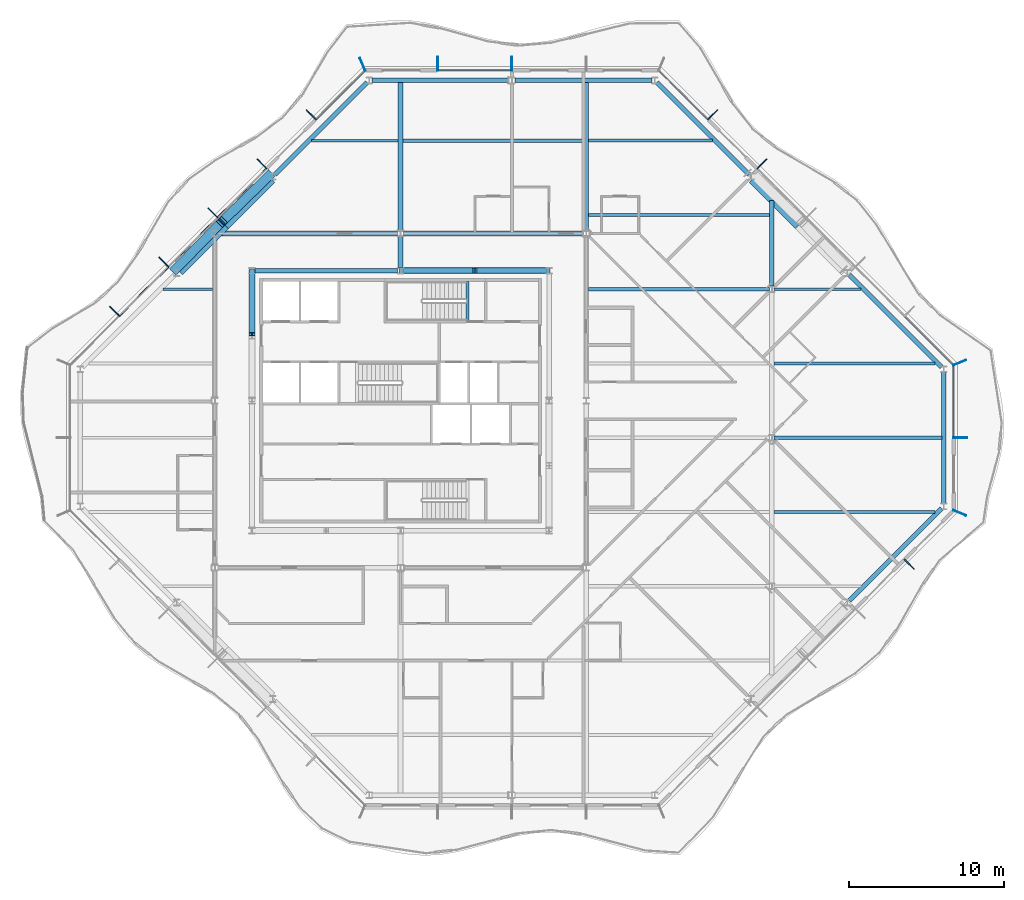
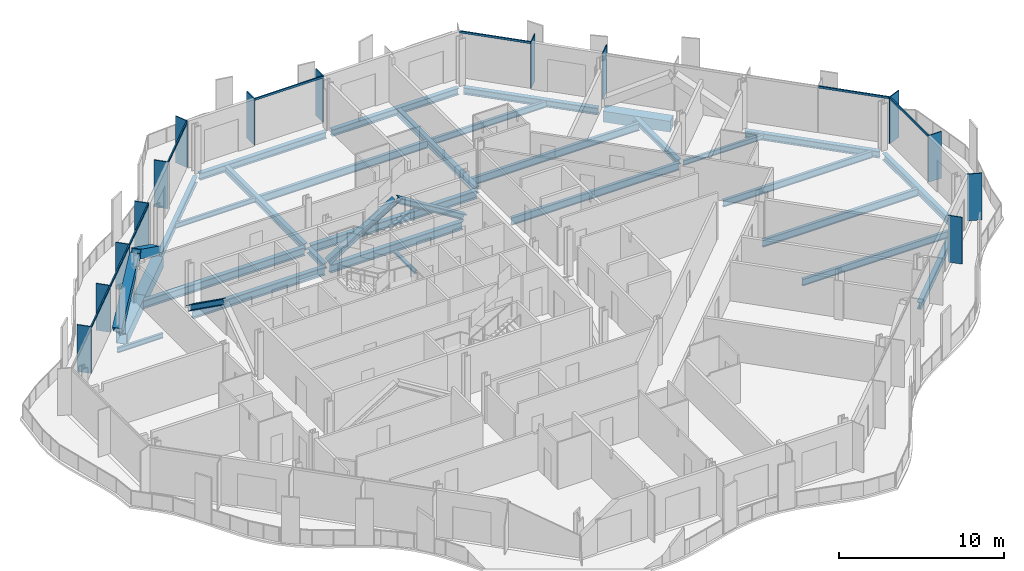
# One storey, part 4 of 17: 29 beams, 27 members, 5 elements without a shape of their own.
"""IFC4 building model written with IfcOpenShell, lengths in metres."""

from ifc_helpers import new_model, si_unit, direction, frame, origin, origin_2d, place, context, subcontext, project, spatial, rectangle, hollow_rectangle, i_section, extrude, material, material_profile, profile_set, type_object, element, aggregate, save


model = new_model("IFC4")

# Units and contexts
model_context = context("Model", 3, precision=1e-05, world=origin(), true_north=direction((0.0, 1.0)))
body_context = subcontext(model_context, "Body", "Model", "MODEL_VIEW")
ifc_project = project(units=[si_unit("LENGTHUNIT", "METRE"), si_unit("AREAUNIT", "SQUARE_METRE"), si_unit("VOLUMEUNIT", "CUBIC_METRE"), si_unit("PLANEANGLEUNIT", "RADIAN"), si_unit("MASSUNIT", "GRAM", prefix="KILO")], contexts=[model_context])

# Site, building, storey
site_placement = place(None, origin())
site = spatial("IfcSite", under=ifc_project, at=site_placement, CompositionType="ELEMENT")
building_placement = place(site_placement, origin())
building = spatial("IfcBuilding", under=site, at=building_placement, Name="Cairn Pilgrim Tower", CompositionType="ELEMENT")
storey_placement = place(building_placement, frame((0.0, 0.0, 221.39990234375)))
storey = spatial("IfcBuildingStorey", under=building, at=storey_placement, Name="L56", CompositionType="ELEMENT", Elevation=221.39990234375)

# Members
ifc_material_1 = material(Name="Structural steel S460M", Category="steel")
ifc_material_profile_1 = material_profile(ifc_material_1, hollow_rectangle(XDim=0.60009765625, YDim=0.60009765625, WallThickness=0.034912109375, at=origin_2d()), Name="BOX 600x600x35")
ifc_profile_set_1 = profile_set([ifc_material_profile_1], Name="Structural steel S460M")
member_type_1 = type_object("IfcMemberType", Name="BOX 600x600x35 BRACE", PredefinedType="BRACE", material=ifc_profile_set_1)
member_1_placement = place(storey_placement, frame((-1.22412109375, 17.00146484375, 0.150146484375), z_axis=(-0.609978743911, -0.59479597279, 0.523587321016), x_axis=(0.698140268834, -0.71596100804, 0.0)))
element("IfcMember", 1, at=member_1_placement, inside=storey, type_object=member_type_1, Name="XB-NW2-NW3-1", PredefinedType="BRACE", context=body_context, shape_type="SweptSolid", body=[
    extrude(hollow_rectangle(XDim=0.60009765625, YDim=0.60009765625, WallThickness=0.034912109375, at=origin_2d()), origin(), (0.0, 0.0, 1.0), 5.032958984375),
])
member_2_placement = place(storey_placement, frame((-7.4013671875, 10.823974609375, 0.150146484375), z_axis=(0.594778373814, 0.610009201523, 0.523571828979), x_axis=(-0.715988756584, 0.698111810848, 0.0)))
element("IfcMember", 2, at=member_2_placement, inside=storey, type_object=member_type_1, Name="XB-NW2-NW3-2", PredefinedType="BRACE", context=body_context, shape_type="SweptSolid", body=[
    extrude(hollow_rectangle(XDim=0.60009765625, YDim=0.60009765625, WallThickness=0.034912109375, at=origin_2d()), origin(), (0.0, 0.0, 1.0), 5.033203125),
])

# Beams
ifc_material_2 = material(Name="Structural steel S355J2", Category="steel")
ifc_material_profile_2 = material_profile(ifc_material_2, hollow_rectangle(XDim=0.699951171875, YDim=0.800048828125, WallThickness=0.0400390625, at=origin_2d()), Name="BOX 700x800x40")
ifc_profile_set_2 = profile_set([ifc_material_profile_2], Name="Structural steel S355J2")
beam_type_1 = type_object("IfcBeamType", Name="BOX 700x800x40 RING GIRDER", PredefinedType="SPANDREL", material=ifc_profile_set_2)
for number, where, z_axis, x_axis, name in (
    (3, (32.963623046875, 13.763671875, -0.5498046875), (-0.707106781187, 0.707106781187, 0.0), (-0.707106781187, -0.707106781187, 0.0), "RG3-NE2-NE3-2"),
    (4, (-1.183837890625, 16.743408203125, -0.5498046875), (-0.707106781187, -0.707106781187, 0.0), (0.707106781187, -0.707106781187, 0.0), "RG3-NW2-NW3-1"),
):
    element("IfcBeam", number, at=place(storey_placement, frame(where, z_axis=z_axis, x_axis=x_axis)), inside=storey, type_object=beam_type_1, Name=name, PredefinedType="SPANDREL", context=body_context, shape_type="SweptSolid", body=[
        extrude(hollow_rectangle(XDim=0.699951171875, YDim=0.800048828125, WallThickness=0.0400390625, at=origin_2d()), origin(), (0.0, 0.0, 1.0), 4.2138671875),
    ])
beam_1_placement = place(storey_placement, frame((-4.16357421875, 13.763671875, -0.5498046875), z_axis=(-0.707077813866, -0.707135747321, 0.0), x_axis=(0.707135747321, -0.707077813866, 0.0)))
element("IfcBeam", 5, at=beam_1_placement, inside=storey, type_object=beam_type_1, Name="RG3-NW2-NW3-2", PredefinedType="SPANDREL", context=body_context, shape_type="SweptSolid", body=[
    extrude(hollow_rectangle(XDim=0.699951171875, YDim=0.800048828125, WallThickness=0.0400390625, at=origin_2d()), origin(), (0.0, 0.0, 1.0), 4.214111328125),
])

# Curtain wall, member
ifc_material_3 = material(Name="Aluminium alloy 6063-T6 bronze anodised with Bronze tinted laminated low-E glass 8+16+8.8", Category="aluminium")
curtain_wall_type_1 = type_object("IfcCurtainWallType", Name="CHAMFER CORNER CURTAIN WALL", PredefinedType="NOTDEFINED", material=ifc_material_3)
curtain_wall_1_placement = place(storey_placement, origin())
curtain_wall_1 = element("IfcCurtainWall", 6, at=curtain_wall_1_placement, inside=storey, type_object=curtain_wall_type_1, Name="Chamfer Corner Curtain Wall SE", PredefinedType="NOTDEFINED")
ifc_material_4 = material(Name="Aluminium alloy 6063-T6 bronze anodised", Category="aluminium")
ifc_material_profile_3 = material_profile(ifc_material_4, rectangle(XDim=0.89990234375, YDim=0.06005859375, at=origin_2d()), Name="FIN MULLION 60x900 BRONZE")
ifc_profile_set_3 = profile_set([ifc_material_profile_3], Name="Aluminium alloy 6063-T6 bronze anodised")
member_type_2 = type_object("IfcMemberType", Name="FIN MULLION 60x900 BRONZE", PredefinedType="MULLION", material=ifc_profile_set_3)
member_3_placement = place(storey_placement, frame((40.0712890625, -8.1689453125, 0.0), z_axis=(0.0, 0.0, 1.0), x_axis=(0.707106781187, -0.707106781187, 0.0)))
member_3 = element("IfcMember", 7, at=member_3_placement, type_object=member_type_2, Name="Fin mullion SE6", PredefinedType="MULLION", context=body_context, shape_type="SweptSolid", body=[
    extrude(rectangle(XDim=0.89990234375, YDim=0.06005859375, at=origin_2d()), origin(), (0.0, 0.0, 1.0), 3.4501953125),
])
aggregate(curtain_wall_1, [member_3])

# Curtain wall, members
curtain_wall_type_2 = type_object("IfcCurtainWallType", Name="TOWER STICK CURTAIN WALL EW", PredefinedType="NOTDEFINED", material=ifc_material_3)
curtain_wall_2_placement = place(storey_placement, origin())
curtain_wall_2 = element("IfcCurtainWall", 8, at=curtain_wall_2_placement, inside=storey, type_object=curtain_wall_type_2, Name="Tower Stick Curtain Wall Ew E", PredefinedType="NOTDEFINED")
member_4_placement = place(storey_placement, frame((43.338134765625, -4.857177734375, 0.0), z_axis=(0.0, 0.0, 1.0), x_axis=(0.923879532511, -0.382683432365, 0.0)))
member_4 = element("IfcMember", 9, at=member_4_placement, type_object=member_type_2, Name="Fin mullion E1", PredefinedType="MULLION", context=body_context, shape_type="SweptSolid", body=[
    extrude(rectangle(XDim=0.89990234375, YDim=0.06005859375, at=origin_2d()), origin(), (0.0, 0.0, 1.0), 3.4501953125),
])
member_5_placement = place(storey_placement, frame((43.3701171875, 0.0, 0.0), z_axis=(0.0, 0.0, 1.0), x_axis=(1.0, 0.0, 0.0)))
member_5 = element("IfcMember", 10, at=member_5_placement, type_object=member_type_2, Name="Fin mullion E2", PredefinedType="MULLION", context=body_context, shape_type="SweptSolid", body=[
    extrude(rectangle(XDim=0.89990234375, YDim=0.06005859375, at=origin_2d()), origin(), (0.0, 0.0, 1.0), 3.4501953125),
])

curtain_wall_3_placement = place(storey_placement, origin())
curtain_wall_3 = element("IfcCurtainWall", 11, at=curtain_wall_3_placement, inside=storey, type_object=curtain_wall_type_1, Name="Chamfer Corner Curtain Wall NE", PredefinedType="NOTDEFINED")
member_6_placement = place(storey_placement, frame((43.338134765625, 4.857177734375, 0.0), z_axis=(0.0, 0.0, 1.0), x_axis=(0.923879532511, 0.382683432365, 0.0)))
member_6 = element("IfcMember", 12, at=member_6_placement, type_object=member_type_2, Name="Fin mullion NE1", PredefinedType="MULLION", context=body_context, shape_type="SweptSolid", body=[
    extrude(rectangle(XDim=0.89990234375, YDim=0.06005859375, at=origin_2d()), origin(), (0.0, 0.0, 1.0), 3.4501953125),
])
member_7_placement = place(storey_placement, frame((30.544677734375, 17.69580078125, 0.0), z_axis=(0.0, 0.0, 1.0), x_axis=(0.707106781187, 0.707106781187, 0.0)))
member_7 = element("IfcMember", 13, at=member_7_placement, type_object=member_type_2, Name="Fin mullion NE5", PredefinedType="MULLION", context=body_context, shape_type="SweptSolid", body=[
    extrude(rectangle(XDim=0.89990234375, YDim=0.06005859375, at=origin_2d()), origin(), (0.0, 0.0, 1.0), 3.4501953125),
])
member_8_placement = place(storey_placement, frame((27.369140625, 20.871337890625, 0.0), z_axis=(0.0, 0.0, 1.0), x_axis=(0.707106781187, 0.707106781187, 0.0)))
member_8 = element("IfcMember", 14, at=member_8_placement, type_object=member_type_2, Name="Fin mullion NE6", PredefinedType="MULLION", context=body_context, shape_type="SweptSolid", body=[
    extrude(rectangle(XDim=0.89990234375, YDim=0.06005859375, at=origin_2d()), origin(), (0.0, 0.0, 1.0), 3.4501953125),
])

curtain_wall_type_3 = type_object("IfcCurtainWallType", Name="TOWER STICK CURTAIN WALL NS", PredefinedType="NOTDEFINED", material=ifc_material_3)
curtain_wall_4_placement = place(storey_placement, origin())
curtain_wall_4 = element("IfcCurtainWall", 15, at=curtain_wall_4_placement, inside=storey, type_object=curtain_wall_type_3, Name="Tower Stick Curtain Wall Ns N", PredefinedType="NOTDEFINED")
member_9_placement = place(storey_placement, frame((14.39990234375, 24.169921875, 0.0), z_axis=(0.0, 0.0, 1.0), x_axis=(0.0, 1.0, 0.0)))
member_9 = element("IfcMember", 16, at=member_9_placement, type_object=member_type_2, Name="Fin mullion N3", PredefinedType="MULLION", context=body_context, shape_type="SweptSolid", body=[
    extrude(rectangle(XDim=0.89990234375, YDim=0.06005859375, at=origin_2d()), origin(), (0.0, 0.0, 1.0), 3.4501953125),
])
member_10_placement = place(storey_placement, frame((9.60009765625, 24.169921875, 0.0), z_axis=(0.0, 0.0, 1.0), x_axis=(0.0, 1.0, 0.0)))
member_10 = element("IfcMember", 17, at=member_10_placement, type_object=member_type_2, Name="Fin mullion N4", PredefinedType="MULLION", context=body_context, shape_type="SweptSolid", body=[
    extrude(rectangle(XDim=0.89990234375, YDim=0.06005859375, at=origin_2d()), origin(), (0.0, 0.0, 1.0), 3.4501953125),
])

curtain_wall_5_placement = place(storey_placement, origin())
curtain_wall_5 = element("IfcCurtainWall", 18, at=curtain_wall_5_placement, inside=storey, type_object=curtain_wall_type_1, Name="Chamfer Corner Curtain Wall NW", PredefinedType="NOTDEFINED")
member_11_placement = place(storey_placement, frame((4.742919921875, 24.137939453125, 0.0), z_axis=(0.0, 0.0, 1.0), x_axis=(-0.382683432365, 0.923879532511, 0.0)))
member_11 = element("IfcMember", 19, at=member_11_placement, type_object=member_type_2, Name="Fin mullion NW1", PredefinedType="MULLION", context=body_context, shape_type="SweptSolid", body=[
    extrude(rectangle(XDim=0.89990234375, YDim=0.06005859375, at=origin_2d()), origin(), (0.0, 0.0, 1.0), 3.4501953125),
])
member_12_placement = place(storey_placement, frame((1.430908203125, 20.871337890625, 0.0), z_axis=(0.0, 0.0, 1.0), x_axis=(-0.707106781187, 0.707106781187, 0.0)))
member_12 = element("IfcMember", 20, at=member_12_placement, type_object=member_type_2, Name="Fin mullion NW2", PredefinedType="MULLION", context=body_context, shape_type="SweptSolid", body=[
    extrude(rectangle(XDim=0.89990234375, YDim=0.06005859375, at=origin_2d()), origin(), (0.0, 0.0, 1.0), 3.4501953125),
])
member_13_placement = place(storey_placement, frame((-1.74462890625, 17.69580078125, 0.0), z_axis=(0.0, 0.0, 1.0), x_axis=(-0.707106781187, 0.707106781187, 0.0)))
member_13 = element("IfcMember", 21, at=member_13_placement, type_object=member_type_2, Name="Fin mullion NW3", PredefinedType="MULLION", context=body_context, shape_type="SweptSolid", body=[
    extrude(rectangle(XDim=0.89990234375, YDim=0.06005859375, at=origin_2d()), origin(), (0.0, 0.0, 1.0), 3.4501953125),
])
member_14_placement = place(storey_placement, frame((-4.920166015625, 14.520263671875, 0.0), z_axis=(0.0, 0.0, 1.0), x_axis=(-0.707106781187, 0.707106781187, 0.0)))
member_14 = element("IfcMember", 22, at=member_14_placement, type_object=member_type_2, Name="Fin mullion NW4", PredefinedType="MULLION", context=body_context, shape_type="SweptSolid", body=[
    extrude(rectangle(XDim=0.89990234375, YDim=0.06005859375, at=origin_2d()), origin(), (0.0, 0.0, 1.0), 3.4501953125),
])
member_15_placement = place(storey_placement, frame((-8.095703125, 11.3447265625, 0.0), z_axis=(0.0, 0.0, 1.0), x_axis=(-0.707106781187, 0.707106781187, 0.0)))
member_15 = element("IfcMember", 23, at=member_15_placement, type_object=member_type_2, Name="Fin mullion NW5", PredefinedType="MULLION", context=body_context, shape_type="SweptSolid", body=[
    extrude(rectangle(XDim=0.89990234375, YDim=0.06005859375, at=origin_2d()), origin(), (0.0, 0.0, 1.0), 3.4501953125),
])
member_16_placement = place(storey_placement, frame((-11.271484375, 8.1689453125, 0.0), z_axis=(0.0, 0.0, 1.0), x_axis=(-0.707106781187, 0.707106781187, 0.0)))
member_16 = element("IfcMember", 24, at=member_16_placement, type_object=member_type_2, Name="Fin mullion NW6", PredefinedType="MULLION", context=body_context, shape_type="SweptSolid", body=[
    extrude(rectangle(XDim=0.89990234375, YDim=0.06005859375, at=origin_2d()), origin(), (0.0, 0.0, 1.0), 3.4501953125),
])

# Members
ifc_material_profile_4 = material_profile(ifc_material_2, i_section(OverallWidth=0.39794921875, OverallDepth=0.386962890625, WebThickness=0.02099609375, FlangeThickness=0.033203125, FilletRadius=0.014892578125, at=origin_2d()), Name="HD 400x262")
ifc_profile_set_4 = profile_set([ifc_material_profile_4], Name="Structural steel S355J2")
member_type_3 = type_object("IfcMemberType", Name="HD 400x262 BRACE", PredefinedType="BRACE", material=ifc_profile_set_4)
for number, where, z_axis, x_axis, name in (
    (25, (16.759521484375, 10.800048828125, 0.10009765625), (-0.851180404412, 0.0, 0.524873241025), (0.0, -1.0, 0.0), "KB-3A"),
    (26, (7.240478515625, 10.800048828125, 0.10009765625), (0.851180404412, 0.0, 0.524873241025), (0.0, 1.0, 0.0), "KB-3B"),
):
    element("IfcMember", number, at=place(storey_placement, frame(where, z_axis=z_axis, x_axis=x_axis)), inside=storey, type_object=member_type_3, Name=name, PredefinedType="BRACE", context=body_context, shape_type="SweptSolid", body=[
        extrude(i_section(OverallWidth=0.39794921875, OverallDepth=0.386962890625, WebThickness=0.02099609375, FlangeThickness=0.033203125, FilletRadius=0.014892578125, at=origin_2d()), origin(), (0.0, 0.0, 1.0), 5.529052734375),
    ])
member_17_placement = place(storey_placement, frame((-2.39990234375, 10.759521484375, 0.10009765625), z_axis=(0.0, -0.814412678688, 0.580286126659), x_axis=(1.0, 0.0, 0.0)))
element("IfcMember", 27, at=member_17_placement, inside=storey, type_object=member_type_3, Name="KB-4A", PredefinedType="BRACE", context=body_context, shape_type="SweptSolid", body=[
    extrude(i_section(OverallWidth=0.39794921875, OverallDepth=0.386962890625, WebThickness=0.02099609375, FlangeThickness=0.033203125, FilletRadius=0.014892578125, at=origin_2d()), origin(), (0.0, 0.0, 1.0), 4.9990234375),
])

# Beams
ifc_material_profile_5 = material_profile(ifc_material_2, i_section(OverallWidth=0.300048828125, OverallDepth=0.39990234375, WebThickness=0.013427734375, FlangeThickness=0.02392578125, FilletRadius=0.027099609375, at=origin_2d()), Name="HEB 400")
ifc_profile_set_5 = profile_set([ifc_material_profile_5], Name="Structural steel S355J2")
beam_type_2 = type_object("IfcBeamType", Name="HEB 400 GIRDER", PredefinedType="BEAM", material=ifc_profile_set_5)
beam_2_placement = place(storey_placement, frame((7.199951171875, 11.001953125, -0.349853515625), z_axis=(0.0, 1.0, 0.0), x_axis=(-1.0, 0.0, 0.0)))
element("IfcBeam", 28, at=beam_2_placement, inside=storey, type_object=beam_type_2, Name="PG3-E2", PredefinedType="BEAM", context=body_context, shape_type="SweptSolid", body=[
    extrude(i_section(OverallWidth=0.300048828125, OverallDepth=0.39990234375, WebThickness=0.013427734375, FlangeThickness=0.02392578125, FilletRadius=0.027099609375, at=origin_2d()), origin(), (0.0, 0.0, 1.0), 1.99853515625),
])
beam_3_placement = place(storey_placement, frame((31.199951171875, 9.799560546875, -0.349853515625), z_axis=(0.0, 1.0, 0.0), x_axis=(-1.0, 0.0, 0.0)))
element("IfcBeam", 29, at=beam_3_placement, inside=storey, type_object=beam_type_2, Name="PG5-4", PredefinedType="BEAM", context=body_context, shape_type="SweptSolid", body=[
    extrude(i_section(OverallWidth=0.300048828125, OverallDepth=0.39990234375, WebThickness=0.013427734375, FlangeThickness=0.02392578125, FilletRadius=0.027099609375, at=origin_2d()), origin(), (0.0, 0.0, 1.0), 5.545654296875),
])
ifc_material_profile_6 = material_profile(ifc_material_2, i_section(OverallWidth=0.300048828125, OverallDepth=0.5, WebThickness=0.014404296875, FlangeThickness=0.028076171875, FilletRadius=0.027099609375, at=origin_2d()), Name="HEB 500")
ifc_profile_set_6 = profile_set([ifc_material_profile_6], Name="Structural steel S355J2")
beam_type_3 = type_object("IfcBeamType", Name="HEB 500 GIRDER", PredefinedType="BEAM", material=ifc_profile_set_6)
for number, where, z_axis, x_axis, name in (
    (30, (7.199951171875, 13.3994140625, -0.39990234375), (0.0, 1.0, 0.0), (-1.0, 0.0, 0.0), "PG3-2"),
    (31, (19.199951171875, 13.3994140625, -0.39990234375), (0.0, 1.0, 0.0), (-1.0, 0.0, 0.0), "PG4-4"),
):
    element("IfcBeam", number, at=place(storey_placement, frame(where, z_axis=z_axis, x_axis=x_axis)), inside=storey, type_object=beam_type_3, Name=name, PredefinedType="BEAM", context=body_context, shape_type="SweptSolid", body=[
        extrude(i_section(OverallWidth=0.300048828125, OverallDepth=0.5, WebThickness=0.014404296875, FlangeThickness=0.028076171875, FilletRadius=0.027099609375, at=origin_2d()), origin(), (0.0, 0.0, 1.0), 9.58056640625),
    ])
ifc_material_profile_7 = material_profile(ifc_material_2, i_section(OverallWidth=0.300048828125, OverallDepth=0.5, WebThickness=0.014404296875, FlangeThickness=0.028076171875, FilletRadius=0.027099609375, at=origin_2d()), Name="HEB 500")
ifc_profile_set_7 = profile_set([ifc_material_profile_7], Name="Structural steel S355J2")
beam_type_4 = type_object("IfcBeamType", Name="HEB 500 RING GIRDER", PredefinedType="SPANDREL", material=ifc_profile_set_7)
beam_4_placement = place(storey_placement, frame((36.2080078125, -10.51904296875, -0.39990234375), z_axis=(0.707106781187, 0.707106781187, 0.0), x_axis=(-0.707106781187, 0.707106781187, 0.0)))
element("IfcBeam", 32, at=beam_4_placement, inside=storey, type_object=beam_type_4, Name="RG3-SE3-E1", PredefinedType="SPANDREL", context=body_context, shape_type="SweptSolid", body=[
    extrude(i_section(OverallWidth=0.300048828125, OverallDepth=0.5, WebThickness=0.014404296875, FlangeThickness=0.028076171875, FilletRadius=0.027099609375, at=origin_2d()), origin(), (0.0, 0.0, 1.0), 8.427978515625),
])
beam_5_placement = place(storey_placement, frame((42.300048828125, -4.239990234375, -0.39990234375), z_axis=(0.0, 1.0, 0.0), x_axis=(-1.0, 0.0, 0.0)))
element("IfcBeam", 33, at=beam_5_placement, inside=storey, type_object=beam_type_4, Name="RG3-E1-NE1", PredefinedType="SPANDREL", context=body_context, shape_type="SweptSolid", body=[
    extrude(i_section(OverallWidth=0.300048828125, OverallDepth=0.5, WebThickness=0.014404296875, FlangeThickness=0.028076171875, FilletRadius=0.027099609375, at=origin_2d()), origin(), (0.0, 0.0, 1.0), 8.47998046875),
])
for number, where, z_axis, x_axis, name in (
    (34, (42.16748046875, 4.5595703125, -0.39990234375), (-0.707106781187, 0.707106781187, 0.0), (-0.707106781187, -0.707106781187, 0.0), "RG3-NE1-NE2"),
    (35, (29.718994140625, 17.008056640625, -0.39990234375), (-0.707106781187, 0.707106781187, 0.0), (-0.707106781187, -0.707106781187, 0.0), "RG3-NE3-N1"),
):
    element("IfcBeam", number, at=place(storey_placement, frame(where, z_axis=z_axis, x_axis=x_axis)), inside=storey, type_object=beam_type_4, Name=name, PredefinedType="SPANDREL", context=body_context, shape_type="SweptSolid", body=[
        extrude(i_section(OverallWidth=0.300048828125, OverallDepth=0.5, WebThickness=0.014404296875, FlangeThickness=0.028076171875, FilletRadius=0.027099609375, at=origin_2d()), origin(), (0.0, 0.0, 1.0), 8.427978515625),
    ])
for number, where, z_axis, x_axis, name in (
    (36, (23.43994140625, 23.10009765625, -0.39990234375), (-1.0, 0.0, 0.0), (0.0, -1.0, 0.0), "RG3-N1-N2"),
    (37, (14.212890625, 23.10009765625, -0.39990234375), (-1.0, 0.0, 0.0), (0.0, -1.0, 0.0), "RG3-N2-NW1"),
):
    element("IfcBeam", number, at=place(storey_placement, frame(where, z_axis=z_axis, x_axis=x_axis)), inside=storey, type_object=beam_type_4, Name=name, PredefinedType="SPANDREL", context=body_context, shape_type="SweptSolid", body=[
        extrude(i_section(OverallWidth=0.300048828125, OverallDepth=0.5, WebThickness=0.014404296875, FlangeThickness=0.028076171875, FilletRadius=0.027099609375, at=origin_2d()), origin(), (0.0, 0.0, 1.0), 8.852783203125),
    ])
beam_6_placement = place(storey_placement, frame((5.040283203125, 22.967529296875, -0.39990234375), z_axis=(-0.707106781187, -0.707106781187, 0.0), x_axis=(0.707106781187, -0.707106781187, 0.0)))
element("IfcBeam", 38, at=beam_6_placement, inside=storey, type_object=beam_type_4, Name="RG3-NW1-NW2", PredefinedType="SPANDREL", context=body_context, shape_type="SweptSolid", body=[
    extrude(i_section(OverallWidth=0.300048828125, OverallDepth=0.5, WebThickness=0.014404296875, FlangeThickness=0.028076171875, FilletRadius=0.027099609375, at=origin_2d()), origin(), (0.0, 0.0, 1.0), 8.427978515625),
])
ifc_material_profile_8 = material_profile(ifc_material_2, i_section(OverallWidth=0.300048828125, OverallDepth=0.60009765625, WebThickness=0.015380859375, FlangeThickness=0.030029296875, FilletRadius=0.027099609375, at=origin_2d()), Name="HEB 600")
ifc_profile_set_8 = profile_set([ifc_material_profile_8], Name="Structural steel S355J2")
beam_type_5 = type_object("IfcBeamType", Name="HEB 600 CORE BEAM", PredefinedType="BEAM", material=ifc_profile_set_8)
beam_7_placement = place(storey_placement, frame((16.6181640625, 10.800048828125, -0.449951171875), z_axis=(-1.0, 0.0, 0.0), x_axis=(0.0, -1.0, 0.0)))
element("IfcBeam", 39, at=beam_7_placement, inside=storey, type_object=beam_type_5, Name="CB-5", PredefinedType="BEAM", context=body_context, shape_type="SweptSolid", body=[
    extrude(i_section(OverallWidth=0.300048828125, OverallDepth=0.60009765625, WebThickness=0.015380859375, FlangeThickness=0.030029296875, FilletRadius=0.027099609375, at=origin_2d()), origin(), (0.0, 0.0, 1.0), 9.236328125),
])
beam_8_placement = place(storey_placement, frame((7.018310546875, 10.800048828125, -0.449951171875), z_axis=(-1.0, 0.0, 0.0), x_axis=(0.0, -1.0, 0.0)))
element("IfcBeam", 40, at=beam_8_placement, inside=storey, type_object=beam_type_5, Name="CB-6", PredefinedType="BEAM", context=body_context, shape_type="SweptSolid", body=[
    extrude(i_section(OverallWidth=0.300048828125, OverallDepth=0.60009765625, WebThickness=0.015380859375, FlangeThickness=0.030029296875, FilletRadius=0.027099609375, at=origin_2d()), origin(), (0.0, 0.0, 1.0), 9.236572265625),
])
ifc_material_profile_9 = material_profile(ifc_material_2, i_section(OverallWidth=0.300048828125, OverallDepth=0.60009765625, WebThickness=0.015380859375, FlangeThickness=0.030029296875, FilletRadius=0.027099609375, at=origin_2d()), Name="HEB 600")
ifc_profile_set_9 = profile_set([ifc_material_profile_9], Name="Structural steel S355J2")
beam_type_6 = type_object("IfcBeamType", Name="HEB 600 INNER GIRDER", PredefinedType="BEAM", material=ifc_profile_set_9)
for number, where, z_axis, x_axis, name in (
    (41, (-4.6005859375, 13.199951171875, -0.449951171875), (1.0, 0.0, 0.0), (0.0, 1.0, 0.0), "IG2-1"),
    (42, (7.3994140625, 13.199951171875, -0.449951171875), (1.0, 0.0, 0.0), (0.0, 1.0, 0.0), "IG2-2"),
):
    element("IfcBeam", number, at=place(storey_placement, frame(where, z_axis=z_axis, x_axis=x_axis)), inside=storey, type_object=beam_type_6, Name=name, PredefinedType="BEAM", context=body_context, shape_type="SweptSolid", body=[
        extrude(i_section(OverallWidth=0.300048828125, OverallDepth=0.60009765625, WebThickness=0.015380859375, FlangeThickness=0.030029296875, FilletRadius=0.027099609375, at=origin_2d()), origin(), (0.0, 0.0, 1.0), 11.60107421875),
    ])
ifc_material_profile_10 = material_profile(ifc_material_2, i_section(OverallWidth=0.169921875, OverallDepth=0.360107421875, WebThickness=0.008056640625, FlangeThickness=0.0126953125, FilletRadius=0.01806640625, at=origin_2d()), Name="IPE 360")
ifc_profile_set_10 = profile_set([ifc_material_profile_10], Name="Structural steel S355J2")
beam_type_7 = type_object("IfcBeamType", Name="IPE 360 SECONDARY BEAM", PredefinedType="JOIST", material=ifc_profile_set_10)
beam_9_placement = place(storey_placement, frame((-8.14501953125, 9.60009765625, -0.329833984375), z_axis=(1.0, 0.0, 0.0), x_axis=(0.0, 1.0, 0.0)))
element("IfcBeam", 43, at=beam_9_placement, inside=storey, type_object=beam_type_7, Name="SB7-1", PredefinedType="JOIST", context=body_context, shape_type="SweptSolid", body=[
    extrude(i_section(OverallWidth=0.169921875, OverallDepth=0.360107421875, WebThickness=0.008056640625, FlangeThickness=0.0126953125, FilletRadius=0.01806640625, at=origin_2d()), origin(), (0.0, 0.0, 1.0), 3.195068359375),
])
beam_10_placement = place(storey_placement, frame((31.35009765625, 9.60009765625, -0.329833984375), z_axis=(1.0, 0.0, 0.0), x_axis=(0.0, 1.0, 0.0)))
element("IfcBeam", 44, at=beam_10_placement, inside=storey, type_object=beam_type_7, Name="SB7-3", PredefinedType="JOIST", context=body_context, shape_type="SweptSolid", body=[
    extrude(i_section(OverallWidth=0.169921875, OverallDepth=0.360107421875, WebThickness=0.008056640625, FlangeThickness=0.0126953125, FilletRadius=0.01806640625, at=origin_2d()), origin(), (0.0, 0.0, 1.0), 5.594970703125),
])
beam_11_placement = place(storey_placement, frame((1.454833984375, 19.199951171875, -0.329833984375), z_axis=(1.0, 0.0, 0.0), x_axis=(0.0, 1.0, 0.0)))
element("IfcBeam", 45, at=beam_11_placement, inside=storey, type_object=beam_type_7, Name="SB9-1", PredefinedType="JOIST", context=body_context, shape_type="SweptSolid", body=[
    extrude(i_section(OverallWidth=0.169921875, OverallDepth=0.360107421875, WebThickness=0.008056640625, FlangeThickness=0.0126953125, FilletRadius=0.01806640625, at=origin_2d()), origin(), (0.0, 0.0, 1.0), 5.59521484375),
])
ifc_material_profile_11 = material_profile(ifc_material_2, i_section(OverallWidth=0.18994140625, OverallDepth=0.449951171875, WebThickness=0.009521484375, FlangeThickness=0.0146484375, FilletRadius=0.02099609375, at=origin_2d()), Name="IPE 450")
ifc_profile_set_11 = profile_set([ifc_material_profile_11], Name="Structural steel S355J2")
beam_type_8 = type_object("IfcBeamType", Name="IPE 450 SECONDARY BEAM", PredefinedType="JOIST", material=ifc_profile_set_11)
beam_12_placement = place(storey_placement, frame((19.35009765625, 19.199951171875, -0.375), z_axis=(1.0, 0.0, 0.0), x_axis=(0.0, 1.0, 0.0)))
element("IfcBeam", 46, at=beam_12_placement, inside=storey, type_object=beam_type_8, Name="SB9-3", PredefinedType="JOIST", context=body_context, shape_type="SweptSolid", body=[
    extrude(i_section(OverallWidth=0.18994140625, OverallDepth=0.449951171875, WebThickness=0.009521484375, FlangeThickness=0.0146484375, FilletRadius=0.02099609375, at=origin_2d()), origin(), (0.0, 0.0, 1.0), 7.9951171875),
])
ifc_material_profile_12 = material_profile(ifc_material_2, i_section(OverallWidth=0.199951171875, OverallDepth=0.5, WebThickness=0.01025390625, FlangeThickness=0.01611328125, FilletRadius=0.02099609375, at=origin_2d()), Name="IPE 500")
ifc_profile_set_12 = profile_set([ifc_material_profile_12], Name="Structural steel S355J2")
beam_type_9 = type_object("IfcBeamType", Name="IPE 500 SECONDARY BEAM", PredefinedType="JOIST", material=ifc_profile_set_12)
for number, where, z_axis, x_axis, name in (
    (47, (31.35009765625, -4.800048828125, -0.39990234375), (1.0, 0.0, 0.0), (0.0, 1.0, 0.0), "SB4-3"),
    (48, (31.35009765625, 4.800048828125, -0.39990234375), (1.0, 0.0, 0.0), (0.0, 1.0, 0.0), "SB6-3"),
):
    element("IfcBeam", number, at=place(storey_placement, frame(where, z_axis=z_axis, x_axis=x_axis)), inside=storey, type_object=beam_type_9, Name=name, PredefinedType="JOIST", context=body_context, shape_type="SweptSolid", body=[
        extrude(i_section(OverallWidth=0.199951171875, OverallDepth=0.5, WebThickness=0.01025390625, FlangeThickness=0.01611328125, FilletRadius=0.02099609375, at=origin_2d()), origin(), (0.0, 0.0, 1.0), 10.39501953125),
    ])
ifc_material_profile_13 = material_profile(ifc_material_2, i_section(OverallWidth=0.2099609375, OverallDepth=0.550048828125, WebThickness=0.010986328125, FlangeThickness=0.01708984375, FilletRadius=0.02392578125, at=origin_2d()), Name="IPE 550")
ifc_profile_set_13 = profile_set([ifc_material_profile_13], Name="Structural steel S355J2")
beam_type_10 = type_object("IfcBeamType", Name="IPE 550 SECONDARY BEAM", PredefinedType="JOIST", material=ifc_profile_set_13)
beam_13_placement = place(storey_placement, frame((31.35009765625, 0.0, -0.4248046875), z_axis=(1.0, 0.0, 0.0), x_axis=(0.0, 1.0, 0.0)))
element("IfcBeam", 49, at=beam_13_placement, inside=storey, type_object=beam_type_10, Name="SB5-3", PredefinedType="JOIST", context=body_context, shape_type="SweptSolid", body=[
    extrude(i_section(OverallWidth=0.2099609375, OverallDepth=0.550048828125, WebThickness=0.010986328125, FlangeThickness=0.01708984375, FilletRadius=0.02392578125, at=origin_2d()), origin(), (0.0, 0.0, 1.0), 10.829833984375),
])
for number, where, z_axis, x_axis, name in (
    (50, (19.35009765625, 9.60009765625, -0.4248046875), (1.0, 0.0, 0.0), (0.0, 1.0, 0.0), "SB7-2"),
    (51, (19.35009765625, 14.39990234375, -0.4248046875), (1.0, 0.0, 0.0), (0.0, 1.0, 0.0), "SB8-1"),
    (52, (7.35009765625, 19.199951171875, -0.4248046875), (1.0, 0.0, 0.0), (0.0, 1.0, 0.0), "SB9-2"),
):
    element("IfcBeam", number, at=place(storey_placement, frame(where, z_axis=z_axis, x_axis=x_axis)), inside=storey, type_object=beam_type_10, Name=name, PredefinedType="JOIST", context=body_context, shape_type="SweptSolid", body=[
        extrude(i_section(OverallWidth=0.2099609375, OverallDepth=0.550048828125, WebThickness=0.010986328125, FlangeThickness=0.01708984375, FilletRadius=0.02392578125, at=origin_2d()), origin(), (0.0, 0.0, 1.0), 11.699951171875),
    ])
ifc_material_profile_14 = material_profile(ifc_material_2, i_section(OverallWidth=0.199951171875, OverallDepth=0.199951171875, WebThickness=0.009033203125, FlangeThickness=0.014892578125, FilletRadius=0.01806640625, at=origin_2d()), Name="HE 200 B")
ifc_profile_set_14 = profile_set([ifc_material_profile_14], Name="Structural steel S355J2")
beam_type_11 = type_object("IfcBeamType", Name="STAIR LANDING BEAM HE 200 B", PredefinedType="BEAM", material=ifc_profile_set_14)
beam_14_placement = place(storey_placement, frame((11.5244140625, 10.10009765625, -0.25), z_axis=(0.0, -1.0, 0.0), x_axis=(1.0, 0.0, 0.0)))
element("IfcBeam", 53, at=beam_14_placement, inside=storey, type_object=beam_type_11, Name="STAIR LANDING BEAM LD-HE200B", PredefinedType="BEAM", context=body_context, shape_type="SweptSolid", body=[
    extrude(i_section(OverallWidth=0.199951171875, OverallDepth=0.199951171875, WebThickness=0.009033203125, FlangeThickness=0.014892578125, FilletRadius=0.01806640625, at=origin_2d()), origin(), (0.0, 0.0, 1.0), 2.525146484375),
])

# Member
ifc_material_profile_15 = material_profile(ifc_material_4, rectangle(XDim=0.080078125, YDim=0.14990234375, at=origin_2d()), Name="TRANSOM 80x150 BRONZE")
ifc_profile_set_15 = profile_set([ifc_material_profile_15], Name="Aluminium alloy 6063-T6 bronze anodised")
member_type_4 = type_object("IfcMemberType", Name="TRANSOM 80x150 BRONZE", PredefinedType="USERDEFINED", material=ifc_profile_set_15)
member_18_placement = place(storey_placement, frame((42.949951171875, 0.030029296875, 3.375), z_axis=(0.0, 1.0, 0.0), x_axis=(-1.0, 0.0, 0.0)))
member_18 = element("IfcMember", 54, at=member_18_placement, type_object=member_type_4, Name="Transom E2", ObjectType="TRANSOM", PredefinedType="USERDEFINED", context=body_context, shape_type="SweptSolid", body=[
    extrude(rectangle(XDim=0.080078125, YDim=0.14990234375, at=origin_2d()), origin(), (0.0, 0.0, 1.0), 4.62646484375),
])

aggregate(curtain_wall_2, [member_4, member_5, member_18])

member_19_placement = place(storey_placement, frame((42.921630859375, 4.724609375, 3.375), z_axis=(-0.707079168996, 0.707134392299, 0.0), x_axis=(-0.707134392299, -0.707079168996, 0.0)))
member_19 = element("IfcMember", 55, at=member_19_placement, type_object=member_type_4, Name="Transom NE1", ObjectType="TRANSOM", PredefinedType="USERDEFINED", context=body_context, shape_type="SweptSolid", body=[
    extrude(rectangle(XDim=0.080078125, YDim=0.14990234375, at=origin_2d()), origin(), (0.0, 0.0, 1.0), 4.4208984375),
])

member_20_placement = place(storey_placement, frame((27.05078125, 20.595703125, 3.375), z_axis=(-0.707106781187, 0.707106781187, 0.0), x_axis=(-0.707106781187, -0.707106781187, 0.0)))
member_20 = element("IfcMember", 56, at=member_20_placement, type_object=member_type_4, Name="Transom NE6", ObjectType="TRANSOM", PredefinedType="USERDEFINED", context=body_context, shape_type="SweptSolid", body=[
    extrude(rectangle(XDim=0.080078125, YDim=0.14990234375, at=origin_2d()), origin(), (0.0, 0.0, 1.0), 4.4208984375),
])

aggregate(curtain_wall_3, [member_6, member_7, member_8, member_19, member_20])

member_21_placement = place(storey_placement, frame((14.3701171875, 23.75, 3.375), z_axis=(-1.0, 0.0, 0.0), x_axis=(0.0, -1.0, 0.0)))
member_21 = element("IfcMember", 57, at=member_21_placement, type_object=member_type_4, Name="Transom N3", ObjectType="TRANSOM", PredefinedType="USERDEFINED", context=body_context, shape_type="SweptSolid", body=[
    extrude(rectangle(XDim=0.080078125, YDim=0.14990234375, at=origin_2d()), origin(), (0.0, 0.0, 1.0), 4.740234375),
])

aggregate(curtain_wall_4, [member_9, member_10, member_21])

member_22_placement = place(storey_placement, frame((4.875244140625, 23.7216796875, 3.375), z_axis=(-0.707106781187, -0.707106781187, 0.0), x_axis=(0.707106781187, -0.707106781187, 0.0)))
member_22 = element("IfcMember", 58, at=member_22_placement, type_object=member_type_4, Name="Transom NW1", ObjectType="TRANSOM", PredefinedType="USERDEFINED", context=body_context, shape_type="SweptSolid", body=[
    extrude(rectangle(XDim=0.080078125, YDim=0.14990234375, at=origin_2d()), origin(), (0.0, 0.0, 1.0), 4.4208984375),
])

member_23_placement = place(storey_placement, frame((-1.46875, 17.377685546875, 3.375), z_axis=(-0.707106781187, -0.707106781187, 0.0), x_axis=(0.707106781187, -0.707106781187, 0.0)))
member_23 = element("IfcMember", 59, at=member_23_placement, type_object=member_type_4, Name="Transom NW3", ObjectType="TRANSOM", PredefinedType="USERDEFINED", context=body_context, shape_type="SweptSolid", body=[
    extrude(rectangle(XDim=0.080078125, YDim=0.14990234375, at=origin_2d()), origin(), (0.0, 0.0, 1.0), 4.43115234375),
])

member_24_placement = place(storey_placement, frame((-4.64453125, 14.201904296875, 3.375), z_axis=(-0.707106781187, -0.707106781187, 0.0), x_axis=(0.707106781187, -0.707106781187, 0.0)))
member_24 = element("IfcMember", 60, at=member_24_placement, type_object=member_type_4, Name="Transom NW4", ObjectType="TRANSOM", PredefinedType="USERDEFINED", context=body_context, shape_type="SweptSolid", body=[
    extrude(rectangle(XDim=0.080078125, YDim=0.14990234375, at=origin_2d()), origin(), (0.0, 0.0, 1.0), 4.430908203125),
])

member_25_placement = place(storey_placement, frame((-7.820068359375, 11.0263671875, 3.375), z_axis=(-0.707106781187, -0.707106781187, 0.0), x_axis=(0.707106781187, -0.707106781187, 0.0)))
member_25 = element("IfcMember", 61, at=member_25_placement, type_object=member_type_4, Name="Transom NW5", ObjectType="TRANSOM", PredefinedType="USERDEFINED", context=body_context, shape_type="SweptSolid", body=[
    extrude(rectangle(XDim=0.080078125, YDim=0.14990234375, at=origin_2d()), origin(), (0.0, 0.0, 1.0), 4.430908203125),
])

aggregate(curtain_wall_5, [member_11, member_12, member_13, member_14, member_15, member_16, member_22, member_23, member_24, member_25])

save(model, "model.ifc")
